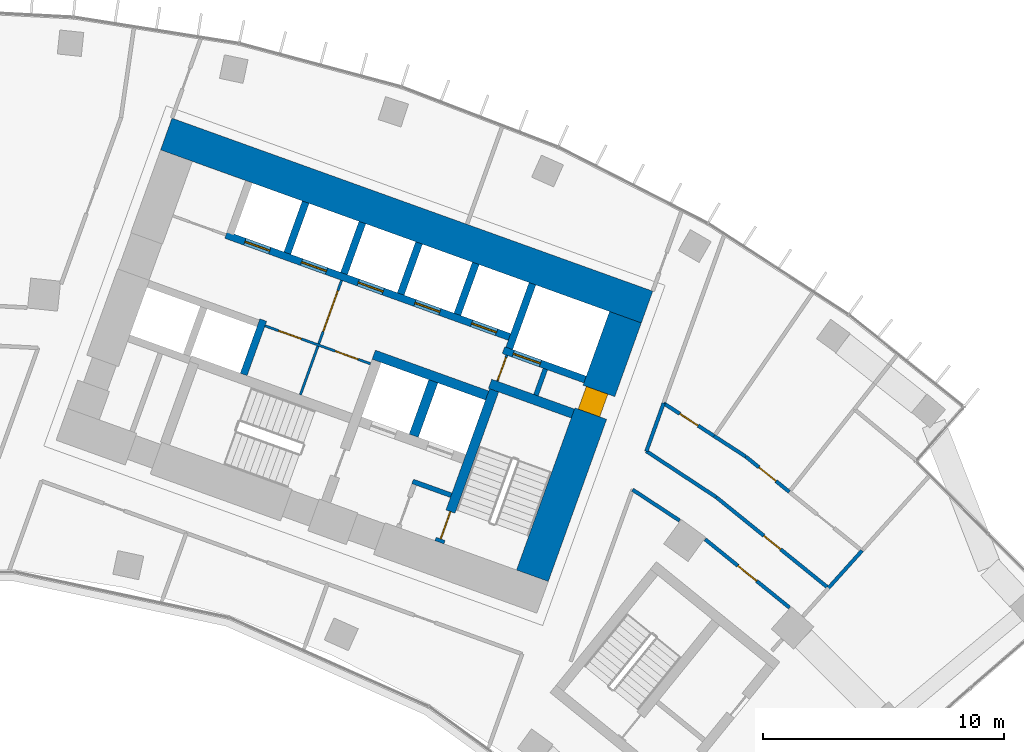
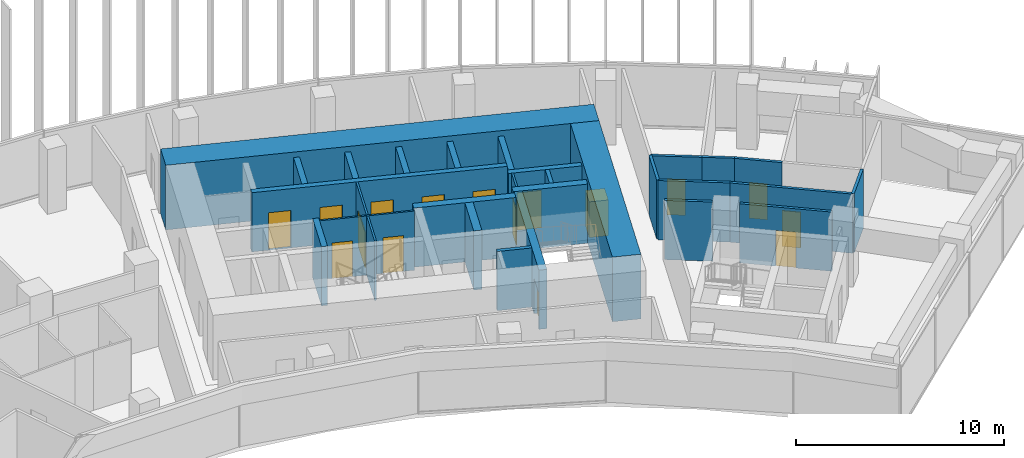
# One storey, part 19 of 23: 28 walls, 16 doors, 16 openings.
"""IFC4 building model written with IfcOpenShell, lengths in metres."""

from ifc_helpers import new_model, si_unit, direction, frame, frame_2d, origin, place, context, subcontext, project, spatial, rectangle, extrude, material, layer, layer_set, type_object, element, fill, save


model = new_model("IFC4")

# Units and contexts
model_context = context("Model", 3, precision=1e-05, world=origin(), true_north=direction((0.0, 1.0)))
body_context = subcontext(model_context, "Body", "Model", "MODEL_VIEW")
ifc_project = project(units=[si_unit("LENGTHUNIT", "METRE"), si_unit("AREAUNIT", "SQUARE_METRE"), si_unit("VOLUMEUNIT", "CUBIC_METRE"), si_unit("PLANEANGLEUNIT", "RADIAN"), si_unit("MASSUNIT", "GRAM", prefix="KILO")], contexts=[model_context])

# Site, building, storey
site_placement = place(None, origin())
site = spatial("IfcSite", under=ifc_project, at=site_placement, CompositionType="ELEMENT")
building_placement = place(site_placement, origin())
building = spatial("IfcBuilding", under=site, at=building_placement, Name="Stone Belt Terrace Tower", CompositionType="ELEMENT")
storey_placement = place(building_placement, frame((0.0, 0.0, 178.199951171875)))
storey = spatial("IfcBuildingStorey", under=building, at=storey_placement, Name="L43", CompositionType="ELEMENT", Elevation=178.199951171875)

# Wall, opening, door
ifc_material_1 = material(Name="Plasterboard partition")
ifc_layer_1 = layer(ifc_material_1, 0.10009765625)
ifc_layer_set_1 = layer_set([ifc_layer_1], Name="Core partition 100")
wall_type_1 = type_object("IfcWallType", Name="Core partition 100", PredefinedType="PARTITIONING", material=ifc_layer_set_1)
wall_1_placement = place(storey_placement, frame((24.555908203125, 51.10400390625, 0.0), z_axis=(0.0, 0.0, 1.0), x_axis=(0.338621735342, 0.94092258999, 0.0)))
wall_1 = element("IfcWall", 1, at=wall_1_placement, inside=storey, type_object=wall_type_1, Name="Core B wall", PredefinedType="PARTITIONING", context=body_context, shape_type="SweptSolid", body=[
    extrude(rectangle(XDim=1.14990234375, YDim=0.10009765625, at=frame_2d((0.574951171875, 0.0))), origin(), (0.0, 0.0, 1.0), 3.47998046875),
])
opening_1_placement = place(wall_1_placement, frame((0.050048828125, 0.0, 0.0)))
opening_1 = element("IfcOpeningElement", 2, at=opening_1_placement, cuts=wall_1, Name="Opening L43-C19", PredefinedType="OPENING", context=body_context, shape_type="SweptSolid", body=[
    extrude(rectangle(XDim=1.0, YDim=2.10009765625, at=frame_2d((0.5, 1.050048828125))), frame((0.0, 0.06005859375, 0.0), z_axis=(0.0, -1.0, 0.0), x_axis=(1.0, 0.0, 0.0)), (0.0, 0.0, 1.0), 0.1201171875),
])
ifc_material_2 = material(Name="Timber door leaf", Category="wood")
door_type_1 = type_object("IfcDoorType", Name="Core room door 1000", OperationType="SINGLE_SWING_LEFT", PredefinedType="DOOR", material=ifc_material_2)
door_1_placement = place(opening_1_placement, origin())
door_1 = element("IfcDoor", 3, at=door_1_placement, inside=storey, type_object=door_type_1, Name="Service lift lobby door core B", OperationType="SINGLE_SWING_LEFT", OverallHeight=2.10009765625, OverallWidth=1.0, PredefinedType="DOOR", context=body_context, shape_type="SweptSolid", body=[
    extrude(rectangle(XDim=1.0, YDim=2.10009765625, at=frame_2d((0.5, 1.050048828125))), frame((0.0, 0.02490234375, 0.0), z_axis=(0.0, -1.0, 0.0), x_axis=(1.0, 0.0, 0.0)), (0.0, 0.0, 1.0), 0.050048828125),
])
fill(opening_1, door_1)

# Wall, openings, doors
wall_2_placement = place(storey_placement, frame((19.29052734375, 51.829833984375, 0.0), z_axis=(0.0, 0.0, 1.0), x_axis=(-0.940930240745, 0.338600475563, 0.0)))
wall_2 = element("IfcWall", 4, at=wall_2_placement, inside=storey, type_object=wall_type_1, Name="Core B wall", PredefinedType="PARTITIONING", context=body_context, shape_type="SweptSolid", body=[
    extrude(rectangle(XDim=4.64990234375, YDim=0.10009765625, at=frame_2d((2.324951171875, 0.0))), origin(), (0.0, 0.0, 1.0), 3.47998046875),
])
opening_2_placement = place(wall_2_placement, frame((0.550048828125, 0.0, 0.0)))
opening_2 = element("IfcOpeningElement", 5, at=opening_2_placement, cuts=wall_2, Name="Opening L43-C16", PredefinedType="OPENING", context=body_context, shape_type="SweptSolid", body=[
    extrude(rectangle(XDim=1.0, YDim=2.10009765625, at=frame_2d((0.5, 1.050048828125))), frame((0.0, 0.06005859375, 0.0), z_axis=(0.0, -1.0, 0.0), x_axis=(1.0, 0.0, 0.0)), (0.0, 0.0, 1.0), 0.1201171875),
])
opening_3_placement = place(wall_2_placement, frame((3.050048828125, 0.0, 0.0)))
opening_3 = element("IfcOpeningElement", 6, at=opening_3_placement, cuts=wall_2, Name="Opening L43-C17", PredefinedType="OPENING", context=body_context, shape_type="SweptSolid", body=[
    extrude(rectangle(XDim=1.0, YDim=2.10009765625, at=frame_2d((0.5, 1.050048828125))), frame((0.0, 0.06005859375, 0.0), z_axis=(0.0, -1.0, 0.0), x_axis=(1.0, 0.0, 0.0)), (0.0, 0.0, 1.0), 0.1201171875),
])
door_2_placement = place(opening_2_placement, origin())
door_2 = element("IfcDoor", 7, at=door_2_placement, inside=storey, type_object=door_type_1, Name="Door to Staff pantry core B", OperationType="SINGLE_SWING_LEFT", OverallHeight=2.10009765625, OverallWidth=1.0, PredefinedType="DOOR", context=body_context, shape_type="SweptSolid", body=[
    extrude(rectangle(XDim=1.0, YDim=2.10009765625, at=frame_2d((0.5, 1.050048828125))), frame((0.0, 0.02490234375, 0.0), z_axis=(0.0, -1.0, 0.0), x_axis=(1.0, 0.0, 0.0)), (0.0, 0.0, 1.0), 0.050048828125),
])
fill(opening_2, door_2)
door_3_placement = place(opening_3_placement, origin())
door_3 = element("IfcDoor", 8, at=door_3_placement, inside=storey, type_object=door_type_1, Name="Door to Telecommunications room core B", OperationType="SINGLE_SWING_RIGHT", OverallHeight=2.10009765625, OverallWidth=1.0, PredefinedType="DOOR", context=body_context, shape_type="SweptSolid", body=[
    extrude(rectangle(XDim=1.0, YDim=2.10009765625, at=frame_2d((0.5, 1.050048828125))), frame((0.0, 0.02490234375, 0.0), z_axis=(0.0, -1.0, 0.0), x_axis=(1.0, 0.0, 0.0)), (0.0, 0.0, 1.0), 0.050048828125),
])
fill(opening_3, door_3)

# Wall, opening, door
wall_3_placement = place(storey_placement, frame((16.38134765625, 50.53857421875, 0.0), z_axis=(0.0, 0.0, 1.0), x_axis=(0.33860476744, 0.940928696271, 0.0)))
wall_3 = element("IfcWall", 9, at=wall_3_placement, inside=storey, type_object=wall_type_1, Name="Core B wall", PredefinedType="PARTITIONING", context=body_context, shape_type="SweptSolid", body=[
    extrude(rectangle(XDim=5.050048828125, YDim=0.10009765625, at=frame_2d((2.52490234375, 0.0))), origin(), (0.0, 0.0, 1.0), 3.47998046875),
])
opening_4_placement = place(wall_3_placement, frame((2.800048828125, 0.0, 0.0)))
opening_4 = element("IfcOpeningElement", 10, at=opening_4_placement, cuts=wall_3, Name="Opening L43-C20", PredefinedType="OPENING", context=body_context, shape_type="SweptSolid", body=[
    extrude(rectangle(XDim=1.800048828125, YDim=2.10009765625, at=frame_2d((0.89990234375, 1.050048828125))), frame((0.0, 0.06005859375, 0.0), z_axis=(0.0, -1.0, 0.0), x_axis=(1.0, 0.0, 0.0)), (0.0, 0.0, 1.0), 0.1201171875),
])
ifc_material_3 = material(Name="Glazed aluminium door leaf", Category="aluminium")
door_type_2 = type_object("IfcDoorType", Name="Lift lobby entrance door 1800", OperationType="DOUBLE_DOOR_SINGLE_SWING", PredefinedType="DOOR", material=ifc_material_3)
door_4_placement = place(opening_4_placement, origin())
door_4 = element("IfcDoor", 11, at=door_4_placement, inside=storey, type_object=door_type_2, Name="Lift lobby double door core B", OperationType="DOUBLE_DOOR_SINGLE_SWING", OverallHeight=2.10009765625, OverallWidth=1.800048828125, PredefinedType="DOOR", context=body_context, shape_type="SweptSolid", body=[
    extrude(rectangle(XDim=1.800048828125, YDim=2.10009765625, at=frame_2d((0.89990234375, 1.050048828125))), frame((0.0, 0.02490234375, 0.0), z_axis=(0.0, -1.0, 0.0), x_axis=(1.0, 0.0, 0.0)), (0.0, 0.0, 1.0), 0.050048828125),
])
fill(opening_4, door_4)

# Wall
ifc_material_4 = material(Name="Concrete B80", Category="concrete")
ifc_layer_2 = layer(ifc_material_4, 1.39990234375)
ifc_layer_set_2 = layer_set([ifc_layer_2], Name="Core wall 1400 B80")
wall_type_2 = type_object("IfcWallType", Name="Core wall 1400 B80", PredefinedType="SHEAR", material=ifc_layer_set_2)
wall_4_placement = place(storey_placement, frame((10.81787109375, 61.362060546875, 0.0), z_axis=(0.0, 0.0, 1.0), x_axis=(0.940919704758, -0.338629752382, 0.0)))
element("IfcWall", 12, at=wall_4_placement, inside=storey, type_object=wall_type_2, Name="Core B wall convex L43", PredefinedType="SHEAR", context=body_context, shape_type="SweptSolid", body=[
    extrude(rectangle(XDim=21.199951171875, YDim=1.39990234375, at=frame_2d((10.60009765625, 0.0))), origin(), (0.0, 0.0, 1.0), 3.800048828125),
])

# Wall, opening, door
wall_5_placement = place(storey_placement, frame((26.00927734375, 43.03515625, 0.0), z_axis=(0.0, 0.0, 1.0), x_axis=(0.338625431531, 0.940921259788, 0.0)))
wall_5 = element("IfcWall", 13, at=wall_5_placement, inside=storey, type_object=wall_type_2, Name="Core B wall end_b L43", PredefinedType="SHEAR", context=body_context, shape_type="SweptSolid", body=[
    extrude(rectangle(XDim=11.400146484375, YDim=1.39990234375, at=frame_2d((5.7001953125, 0.0))), origin(), (0.0, 0.0, 1.0), 3.800048828125),
])
opening_5_placement = place(wall_5_placement, frame((7.14990234375, 0.0, 0.0)))
opening_5 = element("IfcOpeningElement", 14, at=opening_5_placement, cuts=wall_5, Name="Opening L43-C18", PredefinedType="OPENING", context=body_context, shape_type="SweptSolid", body=[
    extrude(rectangle(XDim=1.0, YDim=2.10009765625, at=frame_2d((0.5, 1.050048828125))), frame((0.0, 0.7099609375, 0.0), z_axis=(0.0, -1.0, 0.0), x_axis=(1.0, 0.0, 0.0)), (0.0, 0.0, 1.0), 1.419921875),
])
door_5_placement = place(opening_5_placement, origin())
door_5 = element("IfcDoor", 15, at=door_5_placement, inside=storey, type_object=door_type_1, Name="Door to Telecommunications riser room core B", OperationType="SINGLE_SWING_RIGHT", OverallHeight=2.10009765625, OverallWidth=1.0, PredefinedType="DOOR", context=body_context, shape_type="SweptSolid", body=[
    extrude(rectangle(XDim=1.0, YDim=2.10009765625, at=frame_2d((0.5, 1.050048828125))), frame((0.0, 0.55517578125, 0.0), z_axis=(0.0, -1.0, 0.0), x_axis=(1.0, 0.0, 0.0)), (0.0, 0.0, 1.0), 0.949951171875),
])
fill(opening_5, door_5)

# Walls
ifc_layer_3 = layer(ifc_material_4, 0.39990234375)
ifc_layer_set_3 = layer_set([ifc_layer_3], Name="Fire-fighting lift shaft wall 400")
wall_type_3 = type_object("IfcWallType", Name="Fire-fighting lift shaft wall 400", PredefinedType="SHEAR", material=ifc_layer_set_3)
wall_6_placement = place(storey_placement, frame((24.130615234375, 50.512939453125, 0.0), z_axis=(0.0, 0.0, 1.0), x_axis=(-0.94091168377, 0.338652038744, 0.0)))
element("IfcWall", 16, at=wall_6_placement, inside=storey, type_object=wall_type_3, Name="Core B wall", PredefinedType="SHEAR", context=body_context, shape_type="SweptSolid", body=[
    extrude(rectangle(XDim=5.000244140625, YDim=0.39990234375, at=frame_2d((2.5, 0.0))), origin(), (0.0, 0.0, 1.0), 3.47998046875),
])
wall_7_placement = place(storey_placement, frame((21.0859375, 48.845458984375, 0.0), z_axis=(0.0, 0.0, 1.0), x_axis=(0.338629416206, 0.940919825745, 0.0)))
element("IfcWall", 17, at=wall_7_placement, inside=storey, type_object=wall_type_3, Name="Core B wall", PredefinedType="SHEAR", context=body_context, shape_type="SweptSolid", body=[
    extrude(rectangle(XDim=2.400146484375, YDim=0.39990234375, at=frame_2d((1.2001953125, 0.0))), origin(), (0.0, 0.0, 1.0), 3.47998046875),
])

# Wall, opening, door
ifc_layer_4 = layer(ifc_material_4, 0.300048828125)
ifc_layer_set_4 = layer_set([ifc_layer_4], Name="Lift shaft wall 300")
wall_type_4 = type_object("IfcWallType", Name="Lift shaft wall 300", PredefinedType="SHEAR", material=ifc_layer_set_4)
wall_8_placement = place(storey_placement, frame((28.195068359375, 51.17578125, 0.0), z_axis=(0.0, 0.0, 1.0), x_axis=(-0.940901243567, 0.338681044427, 0.0)))
wall_8 = element("IfcWall", 18, at=wall_8_placement, inside=storey, type_object=wall_type_4, Name="Core B wall", PredefinedType="SHEAR", context=body_context, shape_type="SweptSolid", body=[
    extrude(rectangle(XDim=3.599853515625, YDim=0.300048828125, at=frame_2d((1.7998046875, 0.0))), origin(), (0.0, 0.0, 1.0), 3.47998046875),
])
opening_6_placement = place(wall_8_placement, frame((1.969970703125, 0.0, 0.0)))
opening_6 = element("IfcOpeningElement", 19, at=opening_6_placement, cuts=wall_8, Name="Opening L43-LD16", PredefinedType="OPENING", context=body_context, shape_type="SweptSolid", body=[
    extrude(rectangle(XDim=1.199951171875, YDim=2.199951171875, at=frame_2d((0.60009765625, 1.10009765625))), frame((0.0, 0.159912109375, 0.0), z_axis=(0.0, -1.0, 0.0), x_axis=(1.0, 0.0, 0.0)), (0.0, 0.0, 1.0), 0.320068359375),
])
ifc_material_5 = material(Name="Stainless steel door leaf", Category="steel")
door_type_3 = type_object("IfcDoorType", Name="Landing door 1200", OperationType="SLIDING_TO_LEFT", PredefinedType="DOOR", material=ifc_material_5)
door_6_placement = place(opening_6_placement, origin())
door_6 = element("IfcDoor", 20, at=door_6_placement, inside=storey, type_object=door_type_3, Name="Landing door SV1 core B", OperationType="SLIDING_TO_LEFT", OverallHeight=2.199951171875, OverallWidth=1.199951171875, PredefinedType="DOOR", context=body_context, shape_type="SweptSolid", body=[
    extrude(rectangle(XDim=1.199951171875, YDim=2.199951171875, at=frame_2d((0.60009765625, 1.10009765625))), frame((0.0, 0.02490234375, 0.0), z_axis=(0.0, -1.0, 0.0), x_axis=(1.0, 0.0, 0.0)), (0.0, 0.0, 1.0), 0.050048828125),
])
fill(opening_6, door_6)

# Wall
wall_9_placement = place(storey_placement, frame((25.046875, 52.46826171875, 0.0), z_axis=(0.0, 0.0, 1.0), x_axis=(0.338549588058, 0.940948551423, 0.0)))
element("IfcWall", 21, at=wall_9_placement, inside=storey, type_object=wall_type_4, Name="Core B wall", PredefinedType="SHEAR", context=body_context, shape_type="SweptSolid", body=[
    extrude(rectangle(XDim=2.849853515625, YDim=0.300048828125, at=frame_2d((1.4248046875, 0.0))), origin(), (0.0, 0.0, 1.0), 3.47998046875),
])

# Wall, openings, doors
wall_10_placement = place(storey_placement, frame((25.05810546875, 52.9423828125, 0.0), z_axis=(0.0, 0.0, 1.0), x_axis=(-0.940920770291, 0.338626791666, 0.0)))
wall_10 = element("IfcWall", 22, at=wall_10_placement, inside=storey, type_object=wall_type_4, Name="Core B wall", PredefinedType="SHEAR", context=body_context, shape_type="SweptSolid", body=[
    extrude(rectangle(XDim=12.500244140625, YDim=0.300048828125, at=frame_2d((6.25, 0.0))), origin(), (0.0, 0.0, 1.0), 3.47998046875),
])
opening_7_placement = place(wall_10_placement, frame((0.570068359375, 0.0, 0.0)))
opening_7 = element("IfcOpeningElement", 23, at=opening_7_placement, cuts=wall_10, Name="Opening L43-LD09", PredefinedType="OPENING", context=body_context, shape_type="SweptSolid", body=[
    extrude(rectangle(XDim=1.10009765625, YDim=2.199951171875, at=frame_2d((0.550048828125, 1.10009765625))), frame((0.0, 0.159912109375, 0.0), z_axis=(0.0, -1.0, 0.0), x_axis=(1.0, 0.0, 0.0)), (0.0, 0.0, 1.0), 0.320068359375),
])
opening_8_placement = place(wall_10_placement, frame((3.070068359375, 0.0, 0.0)))
opening_8 = element("IfcOpeningElement", 24, at=opening_8_placement, cuts=wall_10, Name="Opening L43-LD10", PredefinedType="OPENING", context=body_context, shape_type="SweptSolid", body=[
    extrude(rectangle(XDim=1.10009765625, YDim=2.199951171875, at=frame_2d((0.550048828125, 1.10009765625))), frame((0.0, 0.159912109375, 0.0), z_axis=(0.0, -1.0, 0.0), x_axis=(1.0, 0.0, 0.0)), (0.0, 0.0, 1.0), 0.320068359375),
])
opening_9_placement = place(wall_10_placement, frame((5.570068359375, 0.0, 0.0)))
opening_9 = element("IfcOpeningElement", 25, at=opening_9_placement, cuts=wall_10, Name="Opening L43-LD11", PredefinedType="OPENING", context=body_context, shape_type="SweptSolid", body=[
    extrude(rectangle(XDim=1.10009765625, YDim=2.199951171875, at=frame_2d((0.550048828125, 1.10009765625))), frame((0.0, 0.159912109375, 0.0), z_axis=(0.0, -1.0, 0.0), x_axis=(1.0, 0.0, 0.0)), (0.0, 0.0, 1.0), 0.320068359375),
])
opening_10_placement = place(wall_10_placement, frame((8.070068359375, 0.0, 0.0)))
opening_10 = element("IfcOpeningElement", 26, at=opening_10_placement, cuts=wall_10, Name="Opening L43-LD12", PredefinedType="OPENING", context=body_context, shape_type="SweptSolid", body=[
    extrude(rectangle(XDim=1.10009765625, YDim=2.199951171875, at=frame_2d((0.550048828125, 1.10009765625))), frame((0.0, 0.159912109375, 0.0), z_axis=(0.0, -1.0, 0.0), x_axis=(1.0, 0.0, 0.0)), (0.0, 0.0, 1.0), 0.320068359375),
])
opening_11_placement = place(wall_10_placement, frame((10.570068359375, 0.0, 0.0)))
opening_11 = element("IfcOpeningElement", 27, at=opening_11_placement, cuts=wall_10, Name="Opening L43-LD13", PredefinedType="OPENING", context=body_context, shape_type="SweptSolid", body=[
    extrude(rectangle(XDim=1.10009765625, YDim=2.199951171875, at=frame_2d((0.550048828125, 1.10009765625))), frame((0.0, 0.159912109375, 0.0), z_axis=(0.0, -1.0, 0.0), x_axis=(1.0, 0.0, 0.0)), (0.0, 0.0, 1.0), 0.320068359375),
])
door_type_4 = type_object("IfcDoorType", Name="Landing door 1100", OperationType="SLIDING_TO_LEFT", PredefinedType="DOOR", material=ifc_material_5)
door_7_placement = place(opening_7_placement, origin())
door_7 = element("IfcDoor", 28, at=door_7_placement, inside=storey, type_object=door_type_4, Name="Landing door MR1 core B", OperationType="SLIDING_TO_LEFT", OverallHeight=2.199951171875, OverallWidth=1.10009765625, PredefinedType="DOOR", context=body_context, shape_type="SweptSolid", body=[
    extrude(rectangle(XDim=1.10009765625, YDim=2.199951171875, at=frame_2d((0.550048828125, 1.10009765625))), frame((0.0, 0.02490234375, 0.0), z_axis=(0.0, -1.0, 0.0), x_axis=(1.0, 0.0, 0.0)), (0.0, 0.0, 1.0), 0.050048828125),
])
fill(opening_7, door_7)
door_8_placement = place(opening_8_placement, origin())
door_8 = element("IfcDoor", 29, at=door_8_placement, inside=storey, type_object=door_type_4, Name="Landing door MR2 core B", OperationType="SLIDING_TO_LEFT", OverallHeight=2.199951171875, OverallWidth=1.10009765625, PredefinedType="DOOR", context=body_context, shape_type="SweptSolid", body=[
    extrude(rectangle(XDim=1.10009765625, YDim=2.199951171875, at=frame_2d((0.550048828125, 1.10009765625))), frame((0.0, 0.02490234375, 0.0), z_axis=(0.0, -1.0, 0.0), x_axis=(1.0, 0.0, 0.0)), (0.0, 0.0, 1.0), 0.050048828125),
])
fill(opening_8, door_8)
door_9_placement = place(opening_9_placement, origin())
door_9 = element("IfcDoor", 30, at=door_9_placement, inside=storey, type_object=door_type_4, Name="Landing door MR3 core B", OperationType="SLIDING_TO_LEFT", OverallHeight=2.199951171875, OverallWidth=1.10009765625, PredefinedType="DOOR", context=body_context, shape_type="SweptSolid", body=[
    extrude(rectangle(XDim=1.10009765625, YDim=2.199951171875, at=frame_2d((0.550048828125, 1.10009765625))), frame((0.0, 0.02490234375, 0.0), z_axis=(0.0, -1.0, 0.0), x_axis=(1.0, 0.0, 0.0)), (0.0, 0.0, 1.0), 0.050048828125),
])
fill(opening_9, door_9)
door_10_placement = place(opening_10_placement, origin())
door_10 = element("IfcDoor", 31, at=door_10_placement, inside=storey, type_object=door_type_4, Name="Landing door MR4 core B", OperationType="SLIDING_TO_LEFT", OverallHeight=2.199951171875, OverallWidth=1.10009765625, PredefinedType="DOOR", context=body_context, shape_type="SweptSolid", body=[
    extrude(rectangle(XDim=1.10009765625, YDim=2.199951171875, at=frame_2d((0.550048828125, 1.10009765625))), frame((0.0, 0.02490234375, 0.0), z_axis=(0.0, -1.0, 0.0), x_axis=(1.0, 0.0, 0.0)), (0.0, 0.0, 1.0), 0.050048828125),
])
fill(opening_10, door_10)
door_11_placement = place(opening_11_placement, origin())
door_11 = element("IfcDoor", 32, at=door_11_placement, inside=storey, type_object=door_type_4, Name="Landing door MR5 core B", OperationType="SLIDING_TO_LEFT", OverallHeight=2.199951171875, OverallWidth=1.10009765625, PredefinedType="DOOR", context=body_context, shape_type="SweptSolid", body=[
    extrude(rectangle(XDim=1.10009765625, YDim=2.199951171875, at=frame_2d((0.550048828125, 1.10009765625))), frame((0.0, 0.02490234375, 0.0), z_axis=(0.0, -1.0, 0.0), x_axis=(1.0, 0.0, 0.0)), (0.0, 0.0, 1.0), 0.050048828125),
])
fill(opening_11, door_11)

# Walls
wall_11_placement = place(storey_placement, frame((22.897705078125, 53.87939453125, 0.0), z_axis=(0.0, 0.0, 1.0), x_axis=(0.338535034312, 0.940953787677, 0.0)))
element("IfcWall", 33, at=wall_11_placement, inside=storey, type_object=wall_type_4, Name="Core B wall", PredefinedType="SHEAR", context=body_context, shape_type="SweptSolid", body=[
    extrude(rectangle(XDim=2.25, YDim=0.300048828125, at=frame_2d((1.125, 0.0))), origin(), (0.0, 0.0, 1.0), 3.47998046875),
])
wall_12_placement = place(storey_placement, frame((20.54541015625, 54.72607421875, 0.0), z_axis=(0.0, 0.0, 1.0), x_axis=(0.338569601369, 0.940941350472, 0.0)))
element("IfcWall", 34, at=wall_12_placement, inside=storey, type_object=wall_type_4, Name="Core B wall", PredefinedType="SHEAR", context=body_context, shape_type="SweptSolid", body=[
    extrude(rectangle(XDim=2.249755859375, YDim=0.300048828125, at=frame_2d((1.125, 0.0))), origin(), (0.0, 0.0, 1.0), 3.47998046875),
])
wall_13_placement = place(storey_placement, frame((18.193115234375, 55.572509765625, 0.0), z_axis=(0.0, 0.0, 1.0), x_axis=(0.338535034312, 0.940953787677, 0.0)))
element("IfcWall", 35, at=wall_13_placement, inside=storey, type_object=wall_type_4, Name="Core B wall", PredefinedType="SHEAR", context=body_context, shape_type="SweptSolid", body=[
    extrude(rectangle(XDim=2.25, YDim=0.300048828125, at=frame_2d((1.125, 0.0))), origin(), (0.0, 0.0, 1.0), 3.47998046875),
])
wall_14_placement = place(storey_placement, frame((14.029052734375, 51.38525390625, 0.0), z_axis=(0.0, 0.0, 1.0), x_axis=(0.338661829791, 0.940908159728, 0.0)))
element("IfcWall", 36, at=wall_14_placement, inside=storey, type_object=wall_type_4, Name="Core B wall", PredefinedType="SHEAR", context=body_context, shape_type="SweptSolid", body=[
    extrude(rectangle(XDim=2.39990234375, YDim=0.300048828125, at=frame_2d((1.199951171875, 0.0))), origin(), (0.0, 0.0, 1.0), 3.47998046875),
])
wall_15_placement = place(storey_placement, frame((15.8408203125, 56.419189453125, 0.0), z_axis=(0.0, 0.0, 1.0), x_axis=(0.338569601369, 0.940941350472, 0.0)))
element("IfcWall", 37, at=wall_15_placement, inside=storey, type_object=wall_type_4, Name="Core B wall", PredefinedType="SHEAR", context=body_context, shape_type="SweptSolid", body=[
    extrude(rectangle(XDim=2.249755859375, YDim=0.300048828125, at=frame_2d((1.125, 0.0))), origin(), (0.0, 0.0, 1.0), 3.47998046875),
])
ifc_material_6 = material(Name="Gypsum board partition")
ifc_layer_5 = layer(ifc_material_6, 0.14990234375)
ifc_layer_set_5 = layer_set([ifc_layer_5], Name="PARTITION 150 EI 60")
wall_type_5 = type_object("IfcWallType", Name="PARTITION 150 EI 60", PredefinedType="PARTITIONING", material=ifc_layer_set_5)
wall_16_placement = place(storey_placement, frame((31.4560546875, 50.197021484375, 0.0), z_axis=(0.0, 0.0, 1.0), x_axis=(-0.338300458041, -0.941038150177, 0.0)))
element("IfcWall", 38, at=wall_16_placement, inside=storey, type_object=wall_type_5, Name="L43/wall/i027", PredefinedType="PARTITIONING", context=body_context, shape_type="SweptSolid", body=[
    extrude(rectangle(XDim=2.125244140625, YDim=0.14990234375, at=frame_2d((1.0625, 0.0))), origin(), (0.0, 0.0, 1.0), 3.47998046875),
])
wall_17_placement = place(storey_placement, frame((38.287109375, 42.52099609375, 0.0), z_axis=(0.0, 0.0, 1.0), x_axis=(0.668881002776, 0.743369493674, 0.0)))
element("IfcWall", 39, at=wall_17_placement, inside=storey, type_object=wall_type_5, Name="L43/wall/i059", PredefinedType="PARTITIONING", context=body_context, shape_type="SweptSolid", body=[
    extrude(rectangle(XDim=2.094482421875, YDim=0.14990234375, at=frame_2d((1.04736328125, 0.0))), origin(), (0.0, 0.0, 1.0), 3.47998046875),
])

# Wall, opening, door
wall_18_placement = place(storey_placement, frame((36.677001953125, 41.712890625, 0.0), z_axis=(0.0, 0.0, 1.0), x_axis=(-0.777148951547, 0.629316698578, 0.0)))
wall_18 = element("IfcWall", 40, at=wall_18_placement, inside=storey, type_object=wall_type_5, Name="L43/wall/i061", PredefinedType="PARTITIONING", context=body_context, shape_type="SweptSolid", body=[
    extrude(rectangle(XDim=4.505126953125, YDim=0.14990234375, at=frame_2d((2.25244140625, 0.0))), origin(), (0.0, 0.0, 1.0), 3.47998046875),
])
opening_12_placement = place(wall_18_placement, frame((1.752685546875, 0.0, 0.0)))
opening_12 = element("IfcOpeningElement", 41, at=opening_12_placement, cuts=wall_18, Name="Opening D-C4-19", PredefinedType="OPENING", context=body_context, shape_type="SweptSolid", body=[
    extrude(rectangle(XDim=1.0, YDim=2.10009765625, at=frame_2d((0.5, 1.050048828125))), frame((0.0, 0.0849609375, 0.0), z_axis=(0.0, -1.0, 0.0), x_axis=(1.0, 0.0, 0.0)), (0.0, 0.0, 1.0), 0.169921875),
])
ifc_material_7 = material(Name="Timber fire door leaf", Category="wood")
door_type_5 = type_object("IfcDoorType", Name="TENANCY ENTRANCE DOOR 1000 X 2100", OperationType="NOTDEFINED", PredefinedType="DOOR", material=ifc_material_7)
door_12_placement = place(opening_12_placement, origin())
door_12 = element("IfcDoor", 42, at=door_12_placement, inside=storey, type_object=door_type_5, Name="L43/door/i19", OperationType="SINGLE_SWING_RIGHT", OverallHeight=2.10009765625, OverallWidth=1.0, PredefinedType="DOOR", context=body_context, shape_type="SweptSolid", body=[
    extrude(rectangle(XDim=1.0, YDim=2.10009765625, at=frame_2d((0.5, 1.050048828125))), frame((0.0, 0.02490234375, 0.0), z_axis=(0.0, -1.0, 0.0), x_axis=(1.0, 0.0, 0.0)), (0.0, 0.0, 1.0), 0.050048828125),
])
fill(opening_12, door_12)

# Walls
wall_19_placement = place(storey_placement, frame((32.1181640625, 45.3212890625, 0.0), z_axis=(0.0, 0.0, 1.0), x_axis=(-0.835406992815, 0.549631837102, 0.0)))
element("IfcWall", 43, at=wall_19_placement, inside=storey, type_object=wall_type_5, Name="L43/wall/i062", PredefinedType="PARTITIONING", context=body_context, shape_type="SweptSolid", body=[
    extrude(rectangle(XDim=2.339111328125, YDim=0.14990234375, at=frame_2d((1.16943359375, 0.0))), origin(), (0.0, 0.0, 1.0), 3.47998046875),
])
wall_20_placement = place(storey_placement, frame((30.739013671875, 48.202880859375, 0.0), z_axis=(0.0, 0.0, 1.0), x_axis=(0.835274160171, -0.549833681535, 0.0)))
element("IfcWall", 44, at=wall_20_placement, inside=storey, type_object=wall_type_5, Name="L43/wall/i063", PredefinedType="PARTITIONING", context=body_context, shape_type="SweptSolid", body=[
    extrude(rectangle(XDim=3.46826171875, YDim=0.14990234375, at=frame_2d((1.734130859375, 0.0))), origin(), (0.0, 0.0, 1.0), 3.47998046875),
])

# Wall, opening, door
wall_21_placement = place(storey_placement, frame((33.635986328125, 46.2958984375, 0.0), z_axis=(0.0, 0.0, 1.0), x_axis=(0.777109127033, -0.629365875054, 0.0)))
wall_21 = element("IfcWall", 45, at=wall_21_placement, inside=storey, type_object=wall_type_5, Name="L43/wall/i064", PredefinedType="PARTITIONING", context=body_context, shape_type="SweptSolid", body=[
    extrude(rectangle(XDim=5.990234375, YDim=0.14990234375, at=frame_2d((2.9951171875, 0.0))), origin(), (0.0, 0.0, 1.0), 3.47998046875),
])
opening_13_placement = place(wall_21_placement, frame((2.545166015625, 0.0, 0.0)))
opening_13 = element("IfcOpeningElement", 46, at=opening_13_placement, cuts=wall_21, Name="Opening D-C4-20", PredefinedType="OPENING", context=body_context, shape_type="SweptSolid", body=[
    extrude(rectangle(XDim=0.89990234375, YDim=2.10009765625, at=frame_2d((0.449951171875, 1.050048828125))), frame((0.0, 0.0849609375, 0.0), z_axis=(0.0, -1.0, 0.0), x_axis=(1.0, 0.0, 0.0)), (0.0, 0.0, 1.0), 0.169921875),
])
door_type_6 = type_object("IfcDoorType", Name="OFFICE DOOR 900 X 2100", OperationType="NOTDEFINED", PredefinedType="DOOR", material=ifc_material_2)
door_13_placement = place(opening_13_placement, origin())
door_13 = element("IfcDoor", 47, at=door_13_placement, inside=storey, type_object=door_type_6, Name="L43/door/i20", OperationType="SINGLE_SWING_RIGHT", OverallHeight=2.10009765625, OverallWidth=0.89990234375, PredefinedType="DOOR", context=body_context, shape_type="SweptSolid", body=[
    extrude(rectangle(XDim=0.89990234375, YDim=2.10009765625, at=frame_2d((0.449951171875, 1.050048828125))), frame((0.0, 0.02490234375, 0.0), z_axis=(0.0, -1.0, 0.0), x_axis=(1.0, 0.0, 0.0)), (0.0, 0.0, 1.0), 0.050048828125),
])
fill(opening_13, door_13)

wall_22_placement = place(storey_placement, frame((31.4541015625, 50.19091796875, 0.0), z_axis=(0.0, 0.0, 1.0), x_axis=(0.838721867807, -0.544560032009, 0.0)))
wall_22 = element("IfcWall", 48, at=wall_22_placement, inside=storey, type_object=wall_type_5, Name="L43/wall/i065", PredefinedType="PARTITIONING", context=body_context, shape_type="SweptSolid", body=[
    extrude(rectangle(XDim=2.5048828125, YDim=0.14990234375, at=frame_2d((1.25244140625, 0.0))), origin(), (0.0, 0.0, 1.0), 3.47998046875),
])
opening_14_placement = place(wall_22_placement, frame((0.802490234375, 0.0, 0.0)))
opening_14 = element("IfcOpeningElement", 49, at=opening_14_placement, cuts=wall_22, Name="Opening D-C4-21", PredefinedType="OPENING", context=body_context, shape_type="SweptSolid", body=[
    extrude(rectangle(XDim=0.89990234375, YDim=2.10009765625, at=frame_2d((0.449951171875, 1.050048828125))), frame((0.0, 0.0849609375, 0.0), z_axis=(0.0, -1.0, 0.0), x_axis=(1.0, 0.0, 0.0)), (0.0, 0.0, 1.0), 0.169921875),
])
door_14_placement = place(opening_14_placement, origin())
door_14 = element("IfcDoor", 50, at=door_14_placement, inside=storey, type_object=door_type_6, Name="L43/door/i21", OperationType="SINGLE_SWING_RIGHT", OverallHeight=2.10009765625, OverallWidth=0.89990234375, PredefinedType="DOOR", context=body_context, shape_type="SweptSolid", body=[
    extrude(rectangle(XDim=0.89990234375, YDim=2.10009765625, at=frame_2d((0.449951171875, 1.050048828125))), frame((0.0, 0.02490234375, 0.0), z_axis=(0.0, -1.0, 0.0), x_axis=(1.0, 0.0, 0.0)), (0.0, 0.0, 1.0), 0.050048828125),
])
fill(opening_14, door_14)

# Wall
wall_23_placement = place(storey_placement, frame((33.544921875, 48.8330078125, 0.0), z_axis=(0.0, 0.0, 1.0), x_axis=(0.838980503989, -0.544161477805, 0.0)))
element("IfcWall", 51, at=wall_23_placement, inside=storey, type_object=wall_type_5, Name="L43/wall/i066", PredefinedType="PARTITIONING", context=body_context, shape_type="SweptSolid", body=[
    extrude(rectangle(XDim=1.567626953125, YDim=0.14990234375, at=frame_2d((0.78369140625, 0.0))), origin(), (0.0, 0.0, 1.0), 3.47998046875),
])

# Wall, opening, door
wall_24_placement = place(storey_placement, frame((34.860107421875, 47.97998046875, 0.0), z_axis=(0.0, 0.0, 1.0), x_axis=(0.777039781877, -0.629451489299, 0.0)))
wall_24 = element("IfcWall", 52, at=wall_24_placement, inside=storey, type_object=wall_type_5, Name="L43/wall/i067", PredefinedType="PARTITIONING", context=body_context, shape_type="SweptSolid", body=[
    extrude(rectangle(XDim=2.3291015625, YDim=0.14990234375, at=frame_2d((1.16455078125, 0.0))), origin(), (0.0, 0.0, 1.0), 3.47998046875),
])
opening_15_placement = place(wall_24_placement, frame((0.714599609375, 0.0, 0.0)))
opening_15 = element("IfcOpeningElement", 53, at=opening_15_placement, cuts=wall_24, Name="Opening D-C4-22", PredefinedType="OPENING", context=body_context, shape_type="SweptSolid", body=[
    extrude(rectangle(XDim=0.89990234375, YDim=2.10009765625, at=frame_2d((0.449951171875, 1.050048828125))), frame((0.0, 0.0849609375, 0.0), z_axis=(0.0, -1.0, 0.0), x_axis=(1.0, 0.0, 0.0)), (0.0, 0.0, 1.0), 0.169921875),
])
door_15_placement = place(opening_15_placement, origin())
door_15 = element("IfcDoor", 54, at=door_15_placement, inside=storey, type_object=door_type_6, Name="L43/door/i22", OperationType="SINGLE_SWING_RIGHT", OverallHeight=2.10009765625, OverallWidth=0.89990234375, PredefinedType="DOOR", context=body_context, shape_type="SweptSolid", body=[
    extrude(rectangle(XDim=0.89990234375, YDim=2.10009765625, at=frame_2d((0.449951171875, 1.050048828125))), frame((0.0, 0.02490234375, 0.0), z_axis=(0.0, -1.0, 0.0), x_axis=(1.0, 0.0, 0.0)), (0.0, 0.0, 1.0), 0.050048828125),
])
fill(opening_15, door_15)

# Walls
ifc_material_8 = material(Name="Concrete masonry block", Category="masonry")
ifc_layer_6 = layer(ifc_material_8, 0.199951171875)
ifc_layer_set_6 = layer_set([ifc_layer_6], Name="Rated lobby wall 200")
wall_type_6 = type_object("IfcWallType", Name="Rated lobby wall 200", PredefinedType="PARTITIONING", material=ifc_layer_set_6)
wall_25_placement = place(storey_placement, frame((26.1552734375, 50.5283203125, 0.0), z_axis=(0.0, 0.0, 1.0), x_axis=(0.338621735342, 0.94092258999, 0.0)))
element("IfcWall", 55, at=wall_25_placement, inside=storey, type_object=wall_type_6, Name="Core B wall", PredefinedType="PARTITIONING", context=body_context, shape_type="SweptSolid", body=[
    extrude(rectangle(XDim=1.14990234375, YDim=0.199951171875, at=frame_2d((0.574951171875, 0.0))), origin(), (0.0, 0.0, 1.0), 3.47998046875),
])
wall_26_placement = place(storey_placement, frame((22.640625, 46.373046875, 0.0), z_axis=(0.0, 0.0, 1.0), x_axis=(-0.940966110313, 0.338500781747, 0.0)))
element("IfcWall", 56, at=wall_26_placement, inside=storey, type_object=wall_type_6, Name="Core B wall", PredefinedType="PARTITIONING", context=body_context, shape_type="SweptSolid", body=[
    extrude(rectangle(XDim=1.699951171875, YDim=0.199951171875, at=frame_2d((0.85009765625, 0.0))), origin(), (0.0, 0.0, 1.0), 3.47998046875),
])
ifc_layer_7 = layer(ifc_material_4, 0.39990234375)
ifc_layer_set_7 = layer_set([ifc_layer_7], Name="Stair enclosure wall 400")
wall_type_7 = type_object("IfcWallType", Name="Stair enclosure wall 400", PredefinedType="SHEAR", material=ifc_layer_set_7)
wall_27_placement = place(storey_placement, frame((27.687255859375, 49.764404296875, 0.0), z_axis=(0.0, 0.0, 1.0), x_axis=(-0.940918954884, 0.338631835981, 0.0)))
element("IfcWall", 57, at=wall_27_placement, inside=storey, type_object=wall_type_7, Name="Core B wall", PredefinedType="SHEAR", context=body_context, shape_type="SweptSolid", body=[
    extrude(rectangle(XDim=3.650146484375, YDim=0.39990234375, at=frame_2d((1.8251953125, 0.0))), origin(), (0.0, 0.0, 1.0), 3.47998046875),
])

# Wall, opening, door
wall_28_placement = place(storey_placement, frame((22.151611328125, 44.42333984375, 0.0), z_axis=(0.0, 0.0, 1.0), x_axis=(0.338625272931, 0.940921316866, 0.0)))
wall_28 = element("IfcWall", 58, at=wall_28_placement, inside=storey, type_object=wall_type_7, Name="Core B wall", PredefinedType="SHEAR", context=body_context, shape_type="SweptSolid", body=[
    extrude(rectangle(XDim=6.699951171875, YDim=0.39990234375, at=frame_2d((3.35009765625, 0.0))), origin(), (0.0, 0.0, 1.0), 3.47998046875),
])
opening_16_placement = place(wall_28_placement, frame((0.14990234375, 0.0, 0.0)))
opening_16 = element("IfcOpeningElement", 59, at=opening_16_placement, cuts=wall_28, Name="Opening L43-C22", PredefinedType="OPENING", context=body_context, shape_type="SweptSolid", body=[
    extrude(rectangle(XDim=1.199951171875, YDim=2.10009765625, at=frame_2d((0.60009765625, 1.050048828125))), frame((0.0, 0.2099609375, 0.0), z_axis=(0.0, -1.0, 0.0), x_axis=(1.0, 0.0, 0.0)), (0.0, 0.0, 1.0), 0.419921875),
])
ifc_material_9 = material(Name="Steel door leaf", Category="steel")
door_type_7 = type_object("IfcDoorType", Name="Stair door 1200", OperationType="SINGLE_SWING_LEFT", PredefinedType="DOOR", material=ifc_material_9)
door_16_placement = place(opening_16_placement, origin())
door_16 = element("IfcDoor", 60, at=door_16_placement, inside=storey, type_object=door_type_7, Name="Stair 1 door core B", OperationType="SINGLE_SWING_LEFT", OverallHeight=2.10009765625, OverallWidth=1.199951171875, PredefinedType="DOOR", context=body_context, shape_type="SweptSolid", body=[
    extrude(rectangle(XDim=1.199951171875, YDim=2.10009765625, at=frame_2d((0.60009765625, 1.050048828125))), frame((0.0, 0.02490234375, 0.0), z_axis=(0.0, -1.0, 0.0), x_axis=(1.0, 0.0, 0.0)), (0.0, 0.0, 1.0), 0.050048828125),
])
fill(opening_16, door_16)

save(model, "model.ifc")
